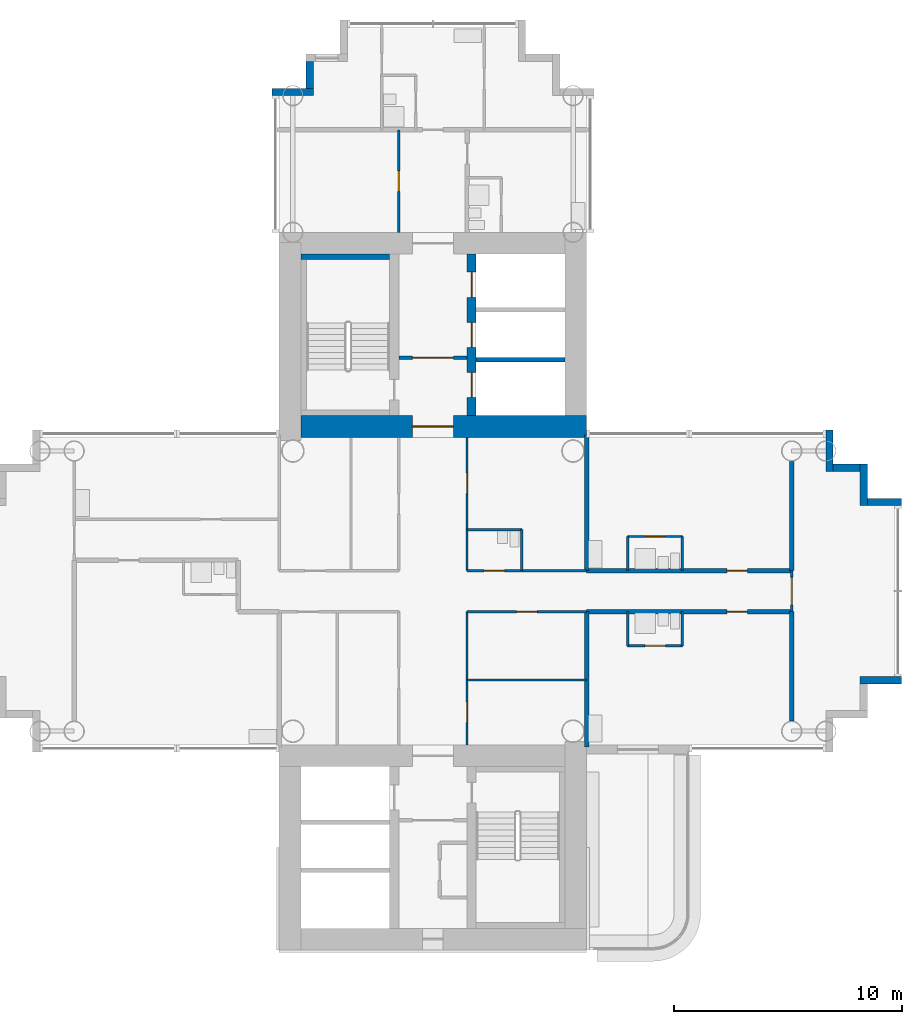
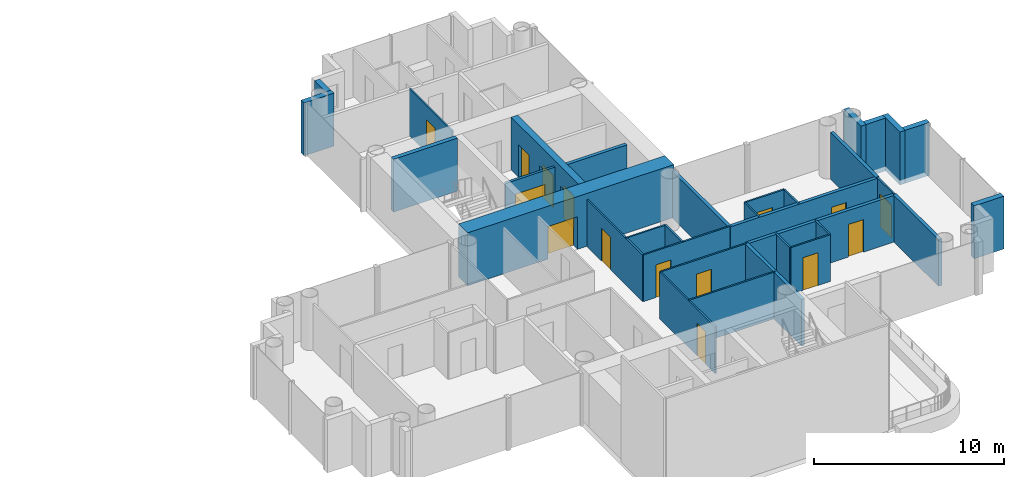
# One storey, part 14 of 22: 33 walls, 15 doors, 15 openings.
"""IFC4 building model written with IfcOpenShell, lengths in metres."""

from ifc_helpers import new_model, si_unit, direction, frame, frame_2d, origin, place, context, subcontext, project, spatial, rectangle, extrude, material, layer, layer_set, type_object, element, fill, save


model = new_model("IFC4")

# Units and contexts
model_context = context("Model", 3, precision=1e-05, world=origin(), true_north=direction((0.0, 1.0)))
body_context = subcontext(model_context, "Body", "Model", "MODEL_VIEW")
ifc_project = project(units=[si_unit("LENGTHUNIT", "METRE"), si_unit("AREAUNIT", "SQUARE_METRE"), si_unit("VOLUMEUNIT", "CUBIC_METRE"), si_unit("PLANEANGLEUNIT", "RADIAN"), si_unit("MASSUNIT", "GRAM", prefix="KILO")], contexts=[model_context])

# Site, building, storey
site_placement = place(None, origin())
site = spatial("IfcSite", under=ifc_project, at=site_placement, CompositionType="ELEMENT")
building_placement = place(site_placement, origin())
building = spatial("IfcBuilding", under=site, at=building_placement, Name="Ipe Terrace Towers", CompositionType="ELEMENT")
storey_placement = place(building_placement, frame((0.0, 0.0, 90.199951171875)))
storey = spatial("IfcBuildingStorey", under=building, at=storey_placement, Name="L24", CompositionType="ELEMENT", Elevation=90.199951171875)

# Walls
ifc_material_1 = material(Name="Concrete C40/50 with buff precast cladding", Category="concrete")
ifc_layer_1 = layer(ifc_material_1, 0.320068359375)
ifc_layer_set_1 = layer_set([ifc_layer_1], Name="BUFF CLADDING WALL 320")
wall_type_1 = type_object("IfcWallType", Name="BUFF CLADDING WALL 320", PredefinedType="STANDARD", material=ifc_layer_set_1)
wall_1_placement = place(storey_placement, frame((54.75, -3.909912109375, -0.300048828125), z_axis=(0.0, 0.0, 1.0), x_axis=(1.0, 0.0, 0.0)))
element("IfcWall", 1, at=wall_1_placement, inside=storey, type_object=wall_type_1, Name="T2-W-L24-07a wall", PredefinedType="STANDARD", context=body_context, shape_type="SweptSolid", body=[
    extrude(rectangle(XDim=1.820068359375, YDim=0.320068359375, at=frame_2d((0.91015625, 0.0))), origin(), (0.0, 0.0, 1.0), 3.400146484375),
])
wall_2_placement = place(storey_placement, frame((56.570068359375, 3.909912109375, -0.300048828125), z_axis=(0.0, 0.0, 1.0), x_axis=(-1.0, 0.0, 0.0)))
element("IfcWall", 2, at=wall_2_placement, inside=storey, type_object=wall_type_1, Name="T2-W-L24-09a wall", PredefinedType="STANDARD", context=body_context, shape_type="SweptSolid", body=[
    extrude(rectangle(XDim=1.5, YDim=0.320068359375, at=frame_2d((0.75, 0.0))), origin(), (0.0, 0.0, 1.0), 3.400146484375),
])
wall_3_placement = place(storey_placement, frame((54.909912109375, 3.75, -0.300048828125), z_axis=(0.0, 0.0, 1.0), x_axis=(0.0, 1.0, 0.0)))
element("IfcWall", 3, at=wall_3_placement, inside=storey, type_object=wall_type_1, Name="T2-W-L24-10a wall", PredefinedType="STANDARD", context=body_context, shape_type="SweptSolid", body=[
    extrude(rectangle(XDim=1.820068359375, YDim=0.320068359375, at=frame_2d((0.91015625, 0.0))), origin(), (0.0, 0.0, 1.0), 3.400146484375),
])
wall_4_placement = place(storey_placement, frame((54.75, 5.409912109375, -0.300048828125), z_axis=(0.0, 0.0, 1.0), x_axis=(-1.0, 0.0, 0.0)))
element("IfcWall", 4, at=wall_4_placement, inside=storey, type_object=wall_type_1, Name="T2-W-L24-11a wall", PredefinedType="STANDARD", context=body_context, shape_type="SweptSolid", body=[
    extrude(rectangle(XDim=1.179931640625, YDim=0.320068359375, at=frame_2d((0.58984375, 0.0))), origin(), (0.0, 0.0, 1.0), 3.400146484375),
])
wall_5_placement = place(storey_placement, frame((53.409912109375, 5.25, -0.300048828125), z_axis=(0.0, 0.0, 1.0), x_axis=(0.0, 1.0, 0.0)))
element("IfcWall", 5, at=wall_5_placement, inside=storey, type_object=wall_type_1, Name="T2-W-L24-12a wall", PredefinedType="STANDARD", context=body_context, shape_type="SweptSolid", body=[
    extrude(rectangle(XDim=1.820068359375, YDim=0.320068359375, at=frame_2d((0.91015625, 0.0))), origin(), (0.0, 0.0, 1.0), 3.400146484375),
])
wall_6_placement = place(storey_placement, frame((30.590087890625, 23.25, -0.300048828125), z_axis=(0.0, 0.0, 1.0), x_axis=(0.0, -1.0, 0.0)))
element("IfcWall", 6, at=wall_6_placement, inside=storey, type_object=wall_type_1, Name="T2-W-L24-24a wall", PredefinedType="STANDARD", context=body_context, shape_type="SweptSolid", body=[
    extrude(rectangle(XDim=1.179931640625, YDim=0.320068359375, at=frame_2d((0.58984375, 0.0))), origin(), (0.0, 0.0, 1.0), 3.400146484375),
])
wall_7_placement = place(storey_placement, frame((30.75, 21.909912109375, -0.300048828125), z_axis=(0.0, 0.0, 1.0), x_axis=(-1.0, 0.0, 0.0)))
element("IfcWall", 7, at=wall_7_placement, inside=storey, type_object=wall_type_1, Name="T2-W-L24-25a wall", PredefinedType="STANDARD", context=body_context, shape_type="SweptSolid", body=[
    extrude(rectangle(XDim=1.820068359375, YDim=0.320068359375, at=frame_2d((0.91015625, 0.0))), origin(), (0.0, 0.0, 1.0), 3.400146484375),
])
ifc_material_2 = material(Name="Gypsum board partition", Category="plasterboard")
ifc_layer_2 = layer(ifc_material_2, 0.10009765625)
ifc_layer_set_2 = layer_set([ifc_layer_2], Name="Gypsum board partition 100 mm")
wall_type_2 = type_object("IfcWallType", Name="Gypsum board partition 100 mm", PredefinedType="PARTITIONING", material=ifc_layer_set_2)
wall_8_placement = place(storey_placement, frame((42.75, -3.89990234375, 0.0), z_axis=(0.0, 0.0, 1.0), x_axis=(-1.0, 0.0, 0.0)))
element("IfcWall", 8, at=wall_8_placement, inside=storey, type_object=wall_type_2, Name="Gypsum board partition T2 L24 W01", PredefinedType="PARTITIONING", context=body_context, shape_type="SweptSolid", body=[
    extrude(rectangle(XDim=5.25, YDim=0.10009765625, at=frame_2d((2.625, 0.0))), origin(), (0.0, 0.0, 1.0), 3.0),
])

# Wall, opening, door
wall_9_placement = place(storey_placement, frame((46.949951171875, -2.39990234375, 0.0), z_axis=(0.0, 0.0, 1.0), x_axis=(-1.0, 0.0, 0.0)))
wall_9 = element("IfcWall", 9, at=wall_9_placement, inside=storey, type_object=wall_type_2, Name="Gypsum board partition T2 L24 W02", PredefinedType="PARTITIONING", context=body_context, shape_type="SweptSolid", body=[
    extrude(rectangle(XDim=2.39990234375, YDim=0.10009765625, at=frame_2d((1.199951171875, 0.0))), origin(), (0.0, 0.0, 1.0), 3.0),
])
opening_1_placement = place(wall_9_placement, frame((0.75, 0.0, 0.0)))
opening_1 = element("IfcOpeningElement", 10, at=opening_1_placement, cuts=wall_9, Name="Opening T2-Z2C-16", PredefinedType="OPENING", context=body_context, shape_type="SweptSolid", body=[
    extrude(rectangle(XDim=0.89990234375, YDim=2.10009765625, at=frame_2d((0.449951171875, 1.050048828125))), frame((0.0, 0.06005859375, 0.0), z_axis=(0.0, -1.0, 0.0), x_axis=(1.0, 0.0, 0.0)), (0.0, 0.0, 1.0), 0.1201171875),
])
ifc_material_3 = material(Name="Timber door leaf", Category="wood")
door_type_1 = type_object("IfcDoorType", Name="Bathroom door 900 x 2100", OperationType="NOTDEFINED", PredefinedType="DOOR", material=ifc_material_3)
door_1_placement = place(opening_1_placement, origin())
door_1 = element("IfcDoor", 11, at=door_1_placement, inside=storey, type_object=door_type_1, Name="Bathroom door T2-Z2C-16", OperationType="SINGLE_SWING_RIGHT", OverallHeight=2.10009765625, OverallWidth=0.89990234375, PredefinedType="DOOR", context=body_context, shape_type="SweptSolid", body=[
    extrude(rectangle(XDim=0.89990234375, YDim=2.10009765625, at=frame_2d((0.449951171875, 1.050048828125))), frame((0.0, 0.02490234375, 0.0), z_axis=(0.0, -1.0, 0.0), x_axis=(1.0, 0.0, 0.0)), (0.0, 0.0, 1.0), 0.050048828125),
])
fill(opening_1, door_1)

wall_10_placement = place(storey_placement, frame((42.75, -0.89990234375, 0.0), z_axis=(0.0, 0.0, 1.0), x_axis=(-1.0, 0.0, 0.0)))
wall_10 = element("IfcWall", 12, at=wall_10_placement, inside=storey, type_object=wall_type_2, Name="Gypsum board partition T2 L24 W03", PredefinedType="PARTITIONING", context=body_context, shape_type="SweptSolid", body=[
    extrude(rectangle(XDim=5.25, YDim=0.10009765625, at=frame_2d((2.625, 0.0))), origin(), (0.0, 0.0, 1.0), 3.0),
])
opening_2_placement = place(wall_10_placement, frame((2.175048828125, 0.0, 0.0)))
opening_2 = element("IfcOpeningElement", 13, at=opening_2_placement, cuts=wall_10, Name="Opening T2-Z2C-06", PredefinedType="OPENING", context=body_context, shape_type="SweptSolid", body=[
    extrude(rectangle(XDim=0.89990234375, YDim=2.10009765625, at=frame_2d((0.449951171875, 1.050048828125))), frame((0.0, 0.06005859375, 0.0), z_axis=(0.0, -1.0, 0.0), x_axis=(1.0, 0.0, 0.0)), (0.0, 0.0, 1.0), 0.1201171875),
])
ifc_material_4 = material(Name="Timber door leaf", Category="wood")
door_type_2 = type_object("IfcDoorType", Name="Lounge door 900 x 2100", OperationType="NOTDEFINED", PredefinedType="DOOR", material=ifc_material_4)
door_2_placement = place(opening_2_placement, origin())
door_2 = element("IfcDoor", 14, at=door_2_placement, inside=storey, type_object=door_type_2, Name="Lounge door T2-Z2C-06", OperationType="SINGLE_SWING_LEFT", OverallHeight=2.10009765625, OverallWidth=0.89990234375, PredefinedType="DOOR", context=body_context, shape_type="SweptSolid", body=[
    extrude(rectangle(XDim=0.89990234375, YDim=2.10009765625, at=frame_2d((0.449951171875, 1.050048828125))), frame((0.0, 0.02490234375, 0.0), z_axis=(0.0, -1.0, 0.0), x_axis=(1.0, 0.0, 0.0)), (0.0, 0.0, 1.0), 0.050048828125),
])
fill(opening_2, door_2)

wall_11_placement = place(storey_placement, frame((42.75, 0.89990234375, 0.0), z_axis=(0.0, 0.0, 1.0), x_axis=(-1.0, 0.0, 0.0)))
wall_11 = element("IfcWall", 15, at=wall_11_placement, inside=storey, type_object=wall_type_2, Name="Gypsum board partition T2 L24 W08", PredefinedType="PARTITIONING", context=body_context, shape_type="SweptSolid", body=[
    extrude(rectangle(XDim=5.25, YDim=0.10009765625, at=frame_2d((2.625, 0.0))), origin(), (0.0, 0.0, 1.0), 3.0),
])
opening_3_placement = place(wall_11_placement, frame((3.60009765625, 0.0, 0.0)))
opening_3 = element("IfcOpeningElement", 16, at=opening_3_placement, cuts=wall_11, Name="Opening T2-Z2C-01", PredefinedType="OPENING", context=body_context, shape_type="SweptSolid", body=[
    extrude(rectangle(XDim=0.89990234375, YDim=2.10009765625, at=frame_2d((0.449951171875, 1.050048828125))), frame((0.0, 0.06005859375, 0.0), z_axis=(0.0, -1.0, 0.0), x_axis=(1.0, 0.0, 0.0)), (0.0, 0.0, 1.0), 0.1201171875),
])
door_3_placement = place(opening_3_placement, origin())
door_3 = element("IfcDoor", 17, at=door_3_placement, inside=storey, type_object=door_type_1, Name="Bathroom door T2-Z2C-01", OperationType="SINGLE_SWING_RIGHT", OverallHeight=2.10009765625, OverallWidth=0.89990234375, PredefinedType="DOOR", context=body_context, shape_type="SweptSolid", body=[
    extrude(rectangle(XDim=0.89990234375, YDim=2.10009765625, at=frame_2d((0.449951171875, 1.050048828125))), frame((0.0, 0.02490234375, 0.0), z_axis=(0.0, -1.0, 0.0), x_axis=(1.0, 0.0, 0.0)), (0.0, 0.0, 1.0), 0.050048828125),
])
fill(opening_3, door_3)

wall_12_placement = place(storey_placement, frame((46.949951171875, 2.39990234375, 0.0), z_axis=(0.0, 0.0, 1.0), x_axis=(-1.0, 0.0, 0.0)))
wall_12 = element("IfcWall", 18, at=wall_12_placement, inside=storey, type_object=wall_type_2, Name="Gypsum board partition T2 L24 W12", PredefinedType="PARTITIONING", context=body_context, shape_type="SweptSolid", body=[
    extrude(rectangle(XDim=2.39990234375, YDim=0.10009765625, at=frame_2d((1.199951171875, 0.0))), origin(), (0.0, 0.0, 1.0), 3.0),
])
opening_4_placement = place(wall_12_placement, frame((0.75, 0.0, 0.0)))
opening_4 = element("IfcOpeningElement", 19, at=opening_4_placement, cuts=wall_12, Name="Opening T2-Z2C-14", PredefinedType="OPENING", context=body_context, shape_type="SweptSolid", body=[
    extrude(rectangle(XDim=0.89990234375, YDim=2.10009765625, at=frame_2d((0.449951171875, 1.050048828125))), frame((0.0, 0.06005859375, 0.0), z_axis=(0.0, -1.0, 0.0), x_axis=(1.0, 0.0, 0.0)), (0.0, 0.0, 1.0), 0.1201171875),
])
door_4_placement = place(opening_4_placement, origin())
door_4 = element("IfcDoor", 20, at=door_4_placement, inside=storey, type_object=door_type_1, Name="Bathroom door T2-Z2C-14", OperationType="SINGLE_SWING_LEFT", OverallHeight=2.10009765625, OverallWidth=0.89990234375, PredefinedType="DOOR", context=body_context, shape_type="SweptSolid", body=[
    extrude(rectangle(XDim=0.89990234375, YDim=2.10009765625, at=frame_2d((0.449951171875, 1.050048828125))), frame((0.0, 0.02490234375, 0.0), z_axis=(0.0, -1.0, 0.0), x_axis=(1.0, 0.0, 0.0)), (0.0, 0.0, 1.0), 0.050048828125),
])
fill(opening_4, door_4)

# Wall
wall_13_placement = place(storey_placement, frame((39.89990234375, 2.699951171875, 0.0), z_axis=(0.0, 0.0, 1.0), x_axis=(-1.0, 0.0, 0.0)))
element("IfcWall", 21, at=wall_13_placement, inside=storey, type_object=wall_type_2, Name="Gypsum board partition T2 L24 W13", PredefinedType="PARTITIONING", context=body_context, shape_type="SweptSolid", body=[
    extrude(rectangle(XDim=2.39990234375, YDim=0.10009765625, at=frame_2d((1.199951171875, 0.0))), origin(), (0.0, 0.0, 1.0), 3.0),
])

# Wall, opening, door
wall_14_placement = place(storey_placement, frame((51.75, -0.89990234375, 0.0), z_axis=(0.0, 0.0, 1.0), x_axis=(0.0, 1.0, 0.0)))
wall_14 = element("IfcWall", 22, at=wall_14_placement, inside=storey, type_object=wall_type_2, Name="Gypsum board partition T2 L24 W18", PredefinedType="PARTITIONING", context=body_context, shape_type="SweptSolid", body=[
    extrude(rectangle(XDim=1.7998046875, YDim=0.10009765625, at=frame_2d((0.89990234375, 0.0))), origin(), (0.0, 0.0, 1.0), 3.0),
])
opening_5_placement = place(wall_14_placement, frame((0.300048828125, 0.0, 0.0)))
opening_5 = element("IfcOpeningElement", 23, at=opening_5_placement, cuts=wall_14, Name="Opening T2-Z2C-17", PredefinedType="OPENING", context=body_context, shape_type="SweptSolid", body=[
    extrude(rectangle(XDim=1.199951171875, YDim=2.10009765625, at=frame_2d((0.60009765625, 1.050048828125))), frame((0.0, 0.06005859375, 0.0), z_axis=(0.0, -1.0, 0.0), x_axis=(1.0, 0.0, 0.0)), (0.0, 0.0, 1.0), 0.1201171875),
])
ifc_material_5 = material(Name="Timber door leaf", Category="wood")
door_type_3 = type_object("IfcDoorType", Name="Lounge door 1200 x 2100", OperationType="NOTDEFINED", PredefinedType="DOOR", material=ifc_material_5)
door_5_placement = place(opening_5_placement, origin())
door_5 = element("IfcDoor", 24, at=door_5_placement, inside=storey, type_object=door_type_3, Name="Lounge door T2-Z2C-17", OperationType="SINGLE_SWING_RIGHT", OverallHeight=2.10009765625, OverallWidth=1.199951171875, PredefinedType="DOOR", context=body_context, shape_type="SweptSolid", body=[
    extrude(rectangle(XDim=1.199951171875, YDim=2.10009765625, at=frame_2d((0.60009765625, 1.050048828125))), frame((0.0, 0.02490234375, 0.0), z_axis=(0.0, -1.0, 0.0), x_axis=(1.0, 0.0, 0.0)), (0.0, 0.0, 1.0), 0.050048828125),
])
fill(opening_5, door_5)

# Walls
for number, where, z_axis, x_axis, name in (
    (25, (46.949951171875, -2.39990234375, 0.0), (0.0, 0.0, 1.0), (0.0, 1.0, 0.0), "Gypsum board partition T2 L24 W21"),
    (26, (46.949951171875, 0.89990234375, 0.0), (0.0, 0.0, 1.0), (0.0, 1.0, 0.0), "Gypsum board partition T2 L24 W22"),
    (27, (44.550048828125, -2.39990234375, 0.0), (0.0, 0.0, 1.0), (0.0, 1.0, 0.0), "Gypsum board partition T2 L24 W23"),
    (28, (44.550048828125, 0.89990234375, 0.0), (0.0, 0.0, 1.0), (0.0, 1.0, 0.0), "Gypsum board partition T2 L24 W24"),
):
    element("IfcWall", number, at=place(storey_placement, frame(where, z_axis=z_axis, x_axis=x_axis)), inside=storey, type_object=wall_type_2, Name=name, PredefinedType="PARTITIONING", context=body_context, shape_type="SweptSolid", body=[
        extrude(rectangle(XDim=1.5, YDim=0.10009765625, at=frame_2d((0.75, 0.0))), origin(), (0.0, 0.0, 1.0), 3.0),
    ])
wall_15_placement = place(storey_placement, frame((39.89990234375, 0.89990234375, 0.0), z_axis=(0.0, 0.0, 1.0), x_axis=(0.0, 1.0, 0.0)))
element("IfcWall", 29, at=wall_15_placement, inside=storey, type_object=wall_type_2, Name="Gypsum board partition T2 L24 W27", PredefinedType="PARTITIONING", context=body_context, shape_type="SweptSolid", body=[
    extrude(rectangle(XDim=1.800048828125, YDim=0.10009765625, at=frame_2d((0.89990234375, 0.0))), origin(), (0.0, 0.0, 1.0), 3.0),
])

# Wall, opening, door
wall_16_placement = place(storey_placement, frame((37.5, -6.75, 0.0), z_axis=(0.0, 0.0, 1.0), x_axis=(0.0, 1.0, 0.0)))
wall_16 = element("IfcWall", 30, at=wall_16_placement, inside=storey, type_object=wall_type_2, Name="Gypsum board partition T2 L24 W30", PredefinedType="PARTITIONING", context=body_context, shape_type="SweptSolid", body=[
    extrude(rectangle(XDim=5.85009765625, YDim=0.10009765625, at=frame_2d((2.925048828125, 0.0))), origin(), (0.0, 0.0, 1.0), 3.0),
])
opening_6_placement = place(wall_16_placement, frame((0.97509765625, 0.0, 0.0)))
opening_6 = element("IfcOpeningElement", 31, at=opening_6_placement, cuts=wall_16, Name="Opening T2-Z2C-07", PredefinedType="OPENING", context=body_context, shape_type="SweptSolid", body=[
    extrude(rectangle(XDim=0.89990234375, YDim=2.10009765625, at=frame_2d((0.449951171875, 1.050048828125))), frame((0.0, 0.06005859375, 0.0), z_axis=(0.0, -1.0, 0.0), x_axis=(1.0, 0.0, 0.0)), (0.0, 0.0, 1.0), 0.1201171875),
])
door_6_placement = place(opening_6_placement, origin())
door_6 = element("IfcDoor", 32, at=door_6_placement, inside=storey, type_object=door_type_2, Name="Lounge door T2-Z2C-07", OperationType="SINGLE_SWING_LEFT", OverallHeight=2.10009765625, OverallWidth=0.89990234375, PredefinedType="DOOR", context=body_context, shape_type="SweptSolid", body=[
    extrude(rectangle(XDim=0.89990234375, YDim=2.10009765625, at=frame_2d((0.449951171875, 1.050048828125))), frame((0.0, 0.02490234375, 0.0), z_axis=(0.0, -1.0, 0.0), x_axis=(1.0, 0.0, 0.0)), (0.0, 0.0, 1.0), 0.050048828125),
])
fill(opening_6, door_6)

wall_17_placement = place(storey_placement, frame((37.5, 0.89990234375, 0.0), z_axis=(0.0, 0.0, 1.0), x_axis=(0.0, 1.0, 0.0)))
wall_17 = element("IfcWall", 33, at=wall_17_placement, inside=storey, type_object=wall_type_2, Name="Gypsum board partition T2 L24 W31", PredefinedType="PARTITIONING", context=body_context, shape_type="SweptSolid", body=[
    extrude(rectangle(XDim=5.85009765625, YDim=0.10009765625, at=frame_2d((2.925048828125, 0.0))), origin(), (0.0, 0.0, 1.0), 3.0),
])
opening_7_placement = place(wall_17_placement, frame((3.375, 0.0, 0.0)))
opening_7 = element("IfcOpeningElement", 34, at=opening_7_placement, cuts=wall_17, Name="Opening T2-Z2C-08", PredefinedType="OPENING", context=body_context, shape_type="SweptSolid", body=[
    extrude(rectangle(XDim=0.89990234375, YDim=2.10009765625, at=frame_2d((0.449951171875, 1.050048828125))), frame((0.0, 0.06005859375, 0.0), z_axis=(0.0, -1.0, 0.0), x_axis=(1.0, 0.0, 0.0)), (0.0, 0.0, 1.0), 0.1201171875),
])
door_7_placement = place(opening_7_placement, origin())
door_7 = element("IfcDoor", 35, at=door_7_placement, inside=storey, type_object=door_type_2, Name="Lounge door T2-Z2C-08", OperationType="SINGLE_SWING_RIGHT", OverallHeight=2.10009765625, OverallWidth=0.89990234375, PredefinedType="DOOR", context=body_context, shape_type="SweptSolid", body=[
    extrude(rectangle(XDim=0.89990234375, YDim=2.10009765625, at=frame_2d((0.449951171875, 1.050048828125))), frame((0.0, 0.02490234375, 0.0), z_axis=(0.0, -1.0, 0.0), x_axis=(1.0, 0.0, 0.0)), (0.0, 0.0, 1.0), 0.050048828125),
])
fill(opening_7, door_7)

wall_18_placement = place(storey_placement, frame((34.5, 15.75, 0.0), z_axis=(0.0, 0.0, 1.0), x_axis=(0.0, 1.0, 0.0)))
wall_18 = element("IfcWall", 36, at=wall_18_placement, inside=storey, type_object=wall_type_2, Name="Gypsum board partition T2 L24 W36", PredefinedType="PARTITIONING", context=body_context, shape_type="SweptSolid", body=[
    extrude(rectangle(XDim=4.5, YDim=0.10009765625, at=frame_2d((2.25, 0.0))), origin(), (0.0, 0.0, 1.0), 3.0),
])
opening_8_placement = place(wall_18_placement, frame((1.800048828125, 0.0, 0.0)))
opening_8 = element("IfcOpeningElement", 37, at=opening_8_placement, cuts=wall_18, Name="Opening T2-Z2C-18", PredefinedType="OPENING", context=body_context, shape_type="SweptSolid", body=[
    extrude(rectangle(XDim=0.89990234375, YDim=2.10009765625, at=frame_2d((0.449951171875, 1.050048828125))), frame((0.0, 0.06005859375, 0.0), z_axis=(0.0, -1.0, 0.0), x_axis=(1.0, 0.0, 0.0)), (0.0, 0.0, 1.0), 0.1201171875),
])
door_8_placement = place(opening_8_placement, origin())
door_8 = element("IfcDoor", 38, at=door_8_placement, inside=storey, type_object=door_type_2, Name="Lounge door T2-Z2C-18", OperationType="SINGLE_SWING_LEFT", OverallHeight=2.10009765625, OverallWidth=0.89990234375, PredefinedType="DOOR", context=body_context, shape_type="SweptSolid", body=[
    extrude(rectangle(XDim=0.89990234375, YDim=2.10009765625, at=frame_2d((0.449951171875, 1.050048828125))), frame((0.0, 0.02490234375, 0.0), z_axis=(0.0, -1.0, 0.0), x_axis=(1.0, 0.0, 0.0)), (0.0, 0.0, 1.0), 0.050048828125),
])
fill(opening_8, door_8)

ifc_material_6 = material(Name="Gypsum board partition", Category="plasterboard")
ifc_layer_3 = layer(ifc_material_6, 0.14990234375)
ifc_layer_set_3 = layer_set([ifc_layer_3], Name="Gypsum board partition 150 mm")
wall_type_3 = type_object("IfcWallType", Name="Gypsum board partition 150 mm", PredefinedType="PARTITIONING", material=ifc_layer_set_3)
wall_19_placement = place(storey_placement, frame((37.5, 10.25, 0.0), z_axis=(0.0, 0.0, 1.0), x_axis=(-1.0, 0.0, 0.0)))
wall_19 = element("IfcWall", 39, at=wall_19_placement, inside=storey, type_object=wall_type_3, Name="Gypsum board partition T2 L24 t2c1-lobby-wall", PredefinedType="PARTITIONING", context=body_context, shape_type="SweptSolid", body=[
    extrude(rectangle(XDim=3.0, YDim=0.14990234375, at=frame_2d((1.5, 0.0))), origin(), (0.0, 0.0, 1.0), 3.0),
])
opening_9_placement = place(wall_19_placement, frame((0.60009765625, 0.0, 0.0)))
opening_9 = element("IfcOpeningElement", 40, at=opening_9_placement, cuts=wall_19, Name="Opening T2C1-VD", PredefinedType="OPENING", context=body_context, shape_type="SweptSolid", body=[
    extrude(rectangle(XDim=1.800048828125, YDim=2.10009765625, at=frame_2d((0.89990234375, 1.050048828125))), frame((0.0, 0.0849609375, 0.0), z_axis=(0.0, -1.0, 0.0), x_axis=(1.0, 0.0, 0.0)), (0.0, 0.0, 1.0), 0.169921875),
])
ifc_material_7 = material(Name="Fire-rated timber door leaf", Category="wood")
door_type_4 = type_object("IfcDoorType", Name="Lobby door 1800 x 2100 FD60", OperationType="NOTDEFINED", PredefinedType="DOOR", material=ifc_material_7)
door_9_placement = place(opening_9_placement, origin())
door_9 = element("IfcDoor", 41, at=door_9_placement, inside=storey, type_object=door_type_4, Name="Lobby door T2C1-VD", OperationType="SINGLE_SWING_LEFT", OverallHeight=2.10009765625, OverallWidth=1.800048828125, PredefinedType="DOOR", context=body_context, shape_type="SweptSolid", body=[
    extrude(rectangle(XDim=1.800048828125, YDim=2.10009765625, at=frame_2d((0.89990234375, 1.050048828125))), frame((0.0, 0.02490234375, 0.0), z_axis=(0.0, -1.0, 0.0), x_axis=(1.0, 0.0, 0.0)), (0.0, 0.0, 1.0), 0.050048828125),
])
fill(opening_9, door_9)

# Wall
ifc_material_8 = material(Name="Gypsum board party wall", Category="plasterboard")
ifc_layer_4 = layer(ifc_material_8, 0.199951171875)
ifc_layer_set_4 = layer_set([ifc_layer_4], Name="Gypsum board party wall 200 mm")
wall_type_4 = type_object("IfcWallType", Name="Gypsum board party wall 200 mm", PredefinedType="SOLIDWALL", material=ifc_layer_set_4)
wall_20_placement = place(storey_placement, frame((41.800048828125, 10.14990234375, 0.0), z_axis=(0.0, 0.0, 1.0), x_axis=(-1.0, 0.0, 0.0)))
element("IfcWall", 42, at=wall_20_placement, inside=storey, type_object=wall_type_4, Name="Gypsum board party wall T2 L24 t2c1-shaft-div1", PredefinedType="SOLIDWALL", context=body_context, shape_type="SweptSolid", body=[
    extrude(rectangle(XDim=3.900146484375, YDim=0.199951171875, at=frame_2d((1.9501953125, 0.0))), origin(), (0.0, 0.0, 1.0), 3.0),
])

# Wall, opening, door
wall_21_placement = place(storey_placement, frame((51.75, -0.89990234375, 0.0), z_axis=(0.0, 0.0, 1.0), x_axis=(-1.0, 0.0, 0.0)))
wall_21 = element("IfcWall", 43, at=wall_21_placement, inside=storey, type_object=wall_type_4, Name="Gypsum board party wall T2 L24 W05", PredefinedType="SOLIDWALL", context=body_context, shape_type="SweptSolid", body=[
    extrude(rectangle(XDim=9.0, YDim=0.199951171875, at=frame_2d((4.5, 0.0))), origin(), (0.0, 0.0, 1.0), 3.0),
])
opening_10_placement = place(wall_21_placement, frame((1.949951171875, 0.0, 0.0)))
opening_10 = element("IfcOpeningElement", 44, at=opening_10_placement, cuts=wall_21, Name="Opening T2-Z2C-15", PredefinedType="OPENING", context=body_context, shape_type="SweptSolid", body=[
    extrude(rectangle(XDim=0.89990234375, YDim=2.10009765625, at=frame_2d((0.449951171875, 1.050048828125))), frame((0.0, 0.10986328125, 0.0), z_axis=(0.0, -1.0, 0.0), x_axis=(1.0, 0.0, 0.0)), (0.0, 0.0, 1.0), 0.219970703125),
])
ifc_material_9 = material(Name="Fire-rated timber door leaf", Category="wood")
door_type_5 = type_object("IfcDoorType", Name="Flat entrance door 900 x 2100 FD30S", OperationType="NOTDEFINED", PredefinedType="DOOR", material=ifc_material_9)
door_10_placement = place(opening_10_placement, origin())
door_10 = element("IfcDoor", 45, at=door_10_placement, inside=storey, type_object=door_type_5, Name="Flat entrance door T2-Z2C-15", OperationType="SINGLE_SWING_RIGHT", OverallHeight=2.10009765625, OverallWidth=0.89990234375, PredefinedType="DOOR", context=body_context, shape_type="SweptSolid", body=[
    extrude(rectangle(XDim=0.89990234375, YDim=2.10009765625, at=frame_2d((0.449951171875, 1.050048828125))), frame((0.0, 0.02490234375, 0.0), z_axis=(0.0, -1.0, 0.0), x_axis=(1.0, 0.0, 0.0)), (0.0, 0.0, 1.0), 0.050048828125),
])
fill(opening_10, door_10)

wall_22_placement = place(storey_placement, frame((51.75, 0.89990234375, 0.0), z_axis=(0.0, 0.0, 1.0), x_axis=(-1.0, 0.0, 0.0)))
wall_22 = element("IfcWall", 46, at=wall_22_placement, inside=storey, type_object=wall_type_4, Name="Gypsum board party wall T2 L24 W10", PredefinedType="SOLIDWALL", context=body_context, shape_type="SweptSolid", body=[
    extrude(rectangle(XDim=9.0, YDim=0.199951171875, at=frame_2d((4.5, 0.0))), origin(), (0.0, 0.0, 1.0), 3.0),
])
opening_11_placement = place(wall_22_placement, frame((1.949951171875, 0.0, 0.0)))
opening_11 = element("IfcOpeningElement", 47, at=opening_11_placement, cuts=wall_22, Name="Opening T2-Z2C-13", PredefinedType="OPENING", context=body_context, shape_type="SweptSolid", body=[
    extrude(rectangle(XDim=0.89990234375, YDim=2.10009765625, at=frame_2d((0.449951171875, 1.050048828125))), frame((0.0, 0.10986328125, 0.0), z_axis=(0.0, -1.0, 0.0), x_axis=(1.0, 0.0, 0.0)), (0.0, 0.0, 1.0), 0.219970703125),
])
door_11_placement = place(opening_11_placement, origin())
door_11 = element("IfcDoor", 48, at=door_11_placement, inside=storey, type_object=door_type_5, Name="Flat entrance door T2-Z2C-13", OperationType="SINGLE_SWING_LEFT", OverallHeight=2.10009765625, OverallWidth=0.89990234375, PredefinedType="DOOR", context=body_context, shape_type="SweptSolid", body=[
    extrude(rectangle(XDim=0.89990234375, YDim=2.10009765625, at=frame_2d((0.449951171875, 1.050048828125))), frame((0.0, 0.02490234375, 0.0), z_axis=(0.0, -1.0, 0.0), x_axis=(1.0, 0.0, 0.0)), (0.0, 0.0, 1.0), 0.050048828125),
])
fill(opening_11, door_11)

# Walls
for number, where, z_axis, x_axis, name in (
    (49, (51.75, -5.699951171875, 0.0), (0.0, 0.0, 1.0), (0.0, 1.0, 0.0), "Gypsum board party wall T2 L24 W19"),
    (50, (51.75, 0.89990234375, 0.0), (0.0, 0.0, 1.0), (0.0, 1.0, 0.0), "Gypsum board party wall T2 L24 W20"),
):
    element("IfcWall", number, at=place(storey_placement, frame(where, z_axis=z_axis, x_axis=x_axis)), inside=storey, type_object=wall_type_4, Name=name, PredefinedType="SOLIDWALL", context=body_context, shape_type="SweptSolid", body=[
        extrude(rectangle(XDim=4.800048828125, YDim=0.199951171875, at=frame_2d((2.39990234375, 0.0))), origin(), (0.0, 0.0, 1.0), 3.0),
    ])
for number, where, z_axis, x_axis, name in (
    (51, (42.75, -6.85009765625, 0.0), (0.0, 0.0, 1.0), (0.0, 1.0, 0.0), "Gypsum board party wall T2 L24 W25"),
    (52, (42.75, 0.89990234375, 0.0), (0.0, 0.0, 1.0), (0.0, 1.0, 0.0), "Gypsum board party wall T2 L24 W26"),
):
    element("IfcWall", number, at=place(storey_placement, frame(where, z_axis=z_axis, x_axis=x_axis)), inside=storey, type_object=wall_type_4, Name=name, PredefinedType="SOLIDWALL", context=body_context, shape_type="SweptSolid", body=[
        extrude(rectangle(XDim=5.9501953125, YDim=0.199951171875, at=frame_2d((2.97509765625, 0.0))), origin(), (0.0, 0.0, 1.0), 3.0),
    ])
ifc_material_10 = material(Name="Concrete C50/60", Category="concrete")
ifc_layer_5 = layer(ifc_material_10, 0.25)
ifc_layer_set_5 = layer_set([ifc_layer_5], Name="RW250 CORE INFILL WALL 250 C50-60")
wall_type_5 = type_object("IfcWallType", Name="RW250 CORE INFILL WALL 250 C50-60", PredefinedType="SHEAR", material=ifc_layer_set_5)
wall_23_placement = place(storey_placement, frame((34.10009765625, 14.675048828125, 0.0), z_axis=(0.0, 0.0, 1.0), x_axis=(-1.0, 0.0, 0.0)))
element("IfcWall", 53, at=wall_23_placement, inside=storey, type_object=wall_type_5, Name="Core infill wall T2-C1-far", PredefinedType="SHEAR", context=body_context, shape_type="SweptSolid", body=[
    extrude(rectangle(XDim=3.900146484375, YDim=0.25, at=frame_2d((1.9501953125, 0.0))), origin(), (0.0, 0.0, 1.0), 3.400146484375),
])

# Wall, openings, doors
ifc_material_11 = material(Name="Concrete C50/60", Category="concrete")
ifc_layer_6 = layer(ifc_material_11, 0.39990234375)
ifc_layer_set_6 = layer_set([ifc_layer_6], Name="RW400 CORE SPINE WALL 400 C50-60")
wall_type_6 = type_object("IfcWallType", Name="RW400 CORE SPINE WALL 400 C50-60", PredefinedType="SHEAR", material=ifc_layer_set_6)
wall_24_placement = place(storey_placement, frame((37.699951171875, 7.699951171875, 0.0), z_axis=(0.0, 0.0, 1.0), x_axis=(0.0, 1.0, 0.0)))
wall_24 = element("IfcWall", 54, at=wall_24_placement, inside=storey, type_object=wall_type_6, Name="Core spine wall T2-C1-Z2-SW2", PredefinedType="SHEAR", context=body_context, shape_type="SweptSolid", body=[
    extrude(rectangle(XDim=7.10009765625, YDim=0.39990234375, at=frame_2d((3.550048828125, 0.0))), origin(), (0.0, 0.0, 1.0), 3.400146484375),
])
opening_12_placement = place(wall_24_placement, frame((0.800048828125, 0.0, 0.0)))
opening_12 = element("IfcOpeningElement", 55, at=opening_12_placement, cuts=wall_24, Name="Opening T2C1-LD1", PredefinedType="OPENING", context=body_context, shape_type="SweptSolid", body=[
    extrude(rectangle(XDim=1.10009765625, YDim=2.10009765625, at=frame_2d((0.550048828125, 1.050048828125))), frame((0.0, 0.2099609375, 0.0), z_axis=(0.0, -1.0, 0.0), x_axis=(1.0, 0.0, 0.0)), (0.0, 0.0, 1.0), 0.419921875),
])
opening_13_placement = place(wall_24_placement, frame((3.0, 0.0, 0.0)))
opening_13 = element("IfcOpeningElement", 56, at=opening_13_placement, cuts=wall_24, Name="Opening T2C1-LD2", PredefinedType="OPENING", context=body_context, shape_type="SweptSolid", body=[
    extrude(rectangle(XDim=1.10009765625, YDim=2.10009765625, at=frame_2d((0.550048828125, 1.050048828125))), frame((0.0, 0.2099609375, 0.0), z_axis=(0.0, -1.0, 0.0), x_axis=(1.0, 0.0, 0.0)), (0.0, 0.0, 1.0), 0.419921875),
])
opening_14_placement = place(wall_24_placement, frame((5.199951171875, 0.0, 0.0)))
opening_14 = element("IfcOpeningElement", 57, at=opening_14_placement, cuts=wall_24, Name="Opening T2C1-LD3", PredefinedType="OPENING", context=body_context, shape_type="SweptSolid", body=[
    extrude(rectangle(XDim=1.10009765625, YDim=2.10009765625, at=frame_2d((0.550048828125, 1.050048828125))), frame((0.0, 0.2099609375, 0.0), z_axis=(0.0, -1.0, 0.0), x_axis=(1.0, 0.0, 0.0)), (0.0, 0.0, 1.0), 0.419921875),
])
ifc_material_12 = material(Name="Fire-rated timber door leaf", Category="wood")
door_type_6 = type_object("IfcDoorType", Name="Sliding door 1100 x 2100 FD60", OperationType="SLIDING_TO_LEFT", PredefinedType="DOOR", material=ifc_material_12)
door_12_placement = place(opening_12_placement, origin())
door_12 = element("IfcDoor", 58, at=door_12_placement, inside=storey, type_object=door_type_6, Name="Sliding door T2C1-LD1", OperationType="SLIDING_TO_LEFT", OverallHeight=2.10009765625, OverallWidth=1.10009765625, PredefinedType="DOOR", context=body_context, shape_type="SweptSolid", body=[
    extrude(rectangle(XDim=1.10009765625, YDim=2.10009765625, at=frame_2d((0.550048828125, 1.050048828125))), frame((0.0, 0.02490234375, 0.0), z_axis=(0.0, -1.0, 0.0), x_axis=(1.0, 0.0, 0.0)), (0.0, 0.0, 1.0), 0.050048828125),
])
fill(opening_12, door_12)
door_13_placement = place(opening_13_placement, origin())
door_13 = element("IfcDoor", 59, at=door_13_placement, inside=storey, type_object=door_type_6, Name="Sliding door T2C1-LD2", OperationType="SLIDING_TO_LEFT", OverallHeight=2.10009765625, OverallWidth=1.10009765625, PredefinedType="DOOR", context=body_context, shape_type="SweptSolid", body=[
    extrude(rectangle(XDim=1.10009765625, YDim=2.10009765625, at=frame_2d((0.550048828125, 1.050048828125))), frame((0.0, 0.02490234375, 0.0), z_axis=(0.0, -1.0, 0.0), x_axis=(1.0, 0.0, 0.0)), (0.0, 0.0, 1.0), 0.050048828125),
])
fill(opening_13, door_13)
door_14_placement = place(opening_14_placement, origin())
door_14 = element("IfcDoor", 60, at=door_14_placement, inside=storey, type_object=door_type_6, Name="Sliding door T2C1-LD3", OperationType="SLIDING_TO_LEFT", OverallHeight=2.10009765625, OverallWidth=1.10009765625, PredefinedType="DOOR", context=body_context, shape_type="SweptSolid", body=[
    extrude(rectangle(XDim=1.10009765625, YDim=2.10009765625, at=frame_2d((0.550048828125, 1.050048828125))), frame((0.0, 0.02490234375, 0.0), z_axis=(0.0, -1.0, 0.0), x_axis=(1.0, 0.0, 0.0)), (0.0, 0.0, 1.0), 0.050048828125),
])
fill(opening_14, door_14)

# Wall, opening, door
ifc_material_13 = material(Name="Concrete C50/60", Category="concrete")
ifc_layer_7 = layer(ifc_material_13, 0.949951171875)
ifc_layer_set_7 = layer_set([ifc_layer_7], Name="RW950 CORE WALL 950 C50-60")
wall_type_7 = type_object("IfcWallType", Name="RW950 CORE WALL 950 C50-60", PredefinedType="SHEAR", material=ifc_layer_set_7)
wall_25_placement = place(storey_placement, frame((30.199951171875, 7.22509765625, 0.0), z_axis=(0.0, 0.0, 1.0), x_axis=(1.0, 0.0, 0.0)))
wall_25 = element("IfcWall", 61, at=wall_25_placement, inside=storey, type_object=wall_type_7, Name="Core wall T2-C1-Z2-W01", PredefinedType="SHEAR", context=body_context, shape_type="SweptSolid", body=[
    extrude(rectangle(XDim=12.550048828125, YDim=0.949951171875, at=frame_2d((6.27490234375, 0.0))), origin(), (0.0, 0.0, 1.0), 3.400146484375),
])
opening_15_placement = place(wall_25_placement, frame((4.89990234375, 0.0, 0.0)))
opening_15 = element("IfcOpeningElement", 62, at=opening_15_placement, cuts=wall_25, Name="Opening T2C1-ND", PredefinedType="OPENING", context=body_context, shape_type="SweptSolid", body=[
    extrude(rectangle(XDim=1.800048828125, YDim=2.10009765625, at=frame_2d((0.89990234375, 1.050048828125))), frame((0.0, 0.48486328125, 0.0), z_axis=(0.0, -1.0, 0.0), x_axis=(1.0, 0.0, 0.0)), (0.0, 0.0, 1.0), 0.969970703125),
])
ifc_material_14 = material(Name="Fire-rated timber door leaf", Category="wood")
door_type_7 = type_object("IfcDoorType", Name="Fire door 1800 x 2100 FD30S", OperationType="NOTDEFINED", PredefinedType="DOOR", material=ifc_material_14)
door_15_placement = place(opening_15_placement, origin())
door_15 = element("IfcDoor", 63, at=door_15_placement, inside=storey, type_object=door_type_7, Name="Fire door T2C1-ND", OperationType="SINGLE_SWING_LEFT", OverallHeight=2.10009765625, OverallWidth=1.800048828125, PredefinedType="DOOR", context=body_context, shape_type="SweptSolid", body=[
    extrude(rectangle(XDim=1.800048828125, YDim=2.10009765625, at=frame_2d((0.89990234375, 1.050048828125))), frame((0.0, 0.02490234375, 0.0), z_axis=(0.0, -1.0, 0.0), x_axis=(1.0, 0.0, 0.0)), (0.0, 0.0, 1.0), 0.050048828125),
])
fill(opening_15, door_15)

save(model, "model.ifc")
